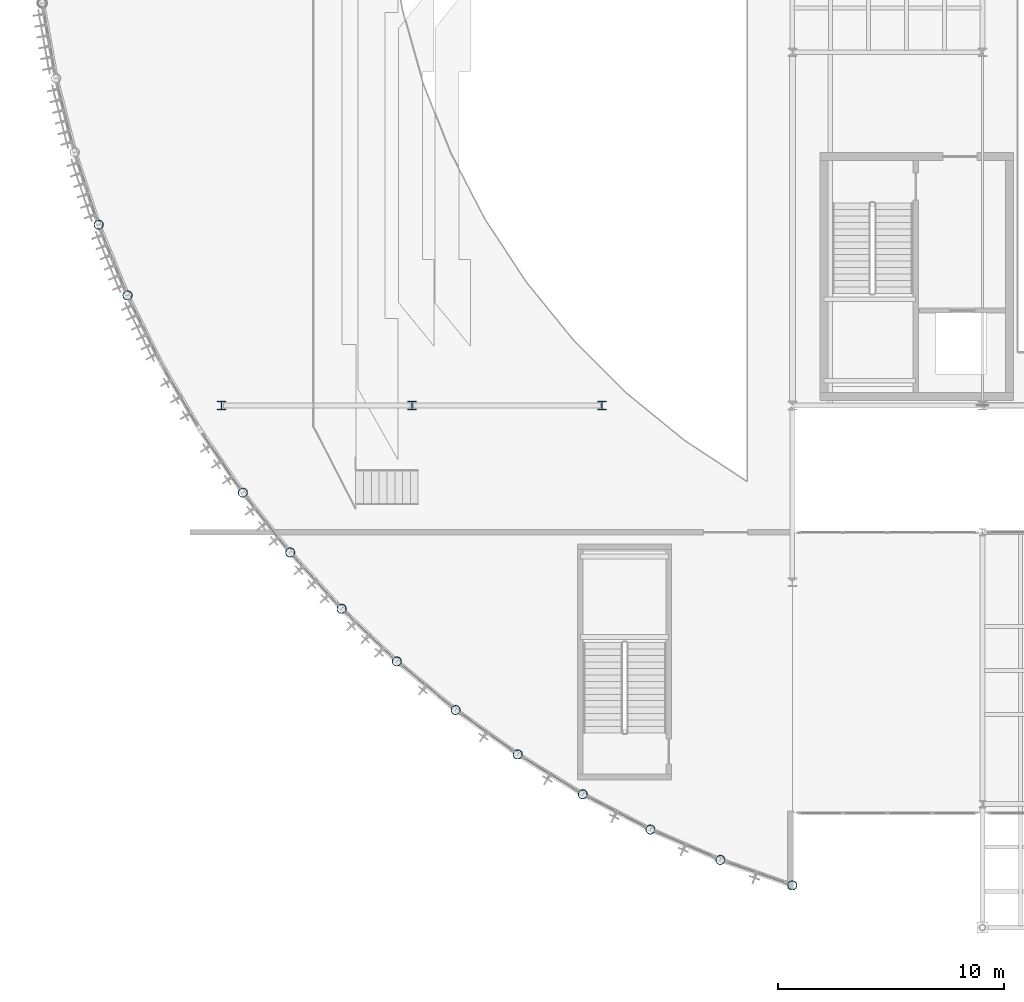
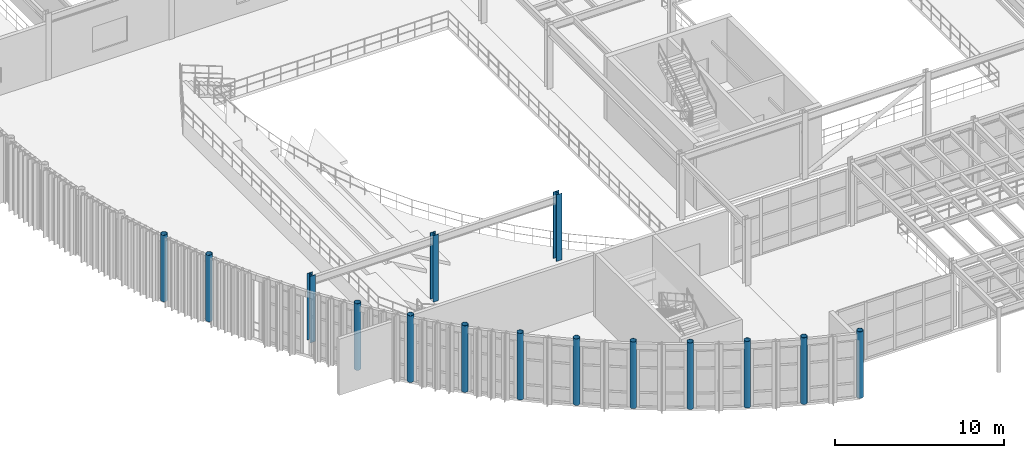
# One storey, part 1 of 105: 15 columns.
"""IFC4 building model written with IfcOpenShell, lengths in metres."""

from ifc_helpers import new_model, si_unit, direction, frame, origin, origin_2d, place, context, subcontext, project, spatial, hollow_circle, i_section, extrude, material, material_profile, profile_set, type_object, element, save


model = new_model("IFC4")

# Units and contexts
model_context = context("Model", 3, precision=1e-05, world=origin(), true_north=direction((0.0, 1.0)))
body_context = subcontext(model_context, "Body", "Model", "MODEL_VIEW")
ifc_project = project(units=[si_unit("LENGTHUNIT", "METRE"), si_unit("AREAUNIT", "SQUARE_METRE"), si_unit("VOLUMEUNIT", "CUBIC_METRE"), si_unit("PLANEANGLEUNIT", "RADIAN"), si_unit("MASSUNIT", "GRAM", prefix="KILO")], contexts=[model_context])

# Site, building, storey
site_placement = place(None, origin())
site = spatial("IfcSite", under=ifc_project, at=site_placement, CompositionType="ELEMENT")
building_placement = place(site_placement, origin())
building = spatial("IfcBuilding", under=site, at=building_placement, Name="Selat Folded Stagehouse", CompositionType="ELEMENT")
storey_placement = place(building_placement, frame((0.0, 0.0, 10.199951171875)))
storey = spatial("IfcBuildingStorey", under=building, at=storey_placement, Name="L02", CompositionType="ELEMENT", Elevation=10.199951171875)

# Columns
ifc_material = material(Name="Steel S355", Category="steel")
ifc_material_profile_1 = material_profile(ifc_material, hollow_circle(Radius=0.203125, WallThickness=0.01611328125, at=origin_2d()), Name="CHS 406.4x16.0")
ifc_profile_set_1 = profile_set([ifc_material_profile_1], Name="Steel S355")
column_type_1 = type_object("IfcColumnType", Name="COL-CHS-406x16", PredefinedType="COLUMN", material=ifc_profile_set_1)
for number, where, z_axis, x_axis, name in (
    (1, (2.967529296875, 31.38427734375, 0.0), (0.0, 0.0, 1.0), (1.0, 0.0, 0.0), "L02 column STK-DRM-07"),
    (2, (4.243896484375, 28.266357421875, 0.0), (0.0, 0.0, 1.0), (1.0, 0.0, 0.0), "L02 column STK-DRM-08"),
    (3, (9.336181640625, 19.55517578125, 0.0), (0.0, 0.0, 1.0), (1.0, 0.0, 0.0), "L02 column STK-DRM-11"),
    (4, (11.4267578125, 16.9130859375, 0.0), (0.0, 0.0, 1.0), (1.0, 0.0, 0.0), "L02 column STK-DRM-12"),
    (5, (13.697509765625, 14.42431640625, 0.0), (0.0, 0.0, 1.0), (1.0, 0.0, 0.0), "L02 column STK-DRM-13"),
    (6, (16.136962890625, 12.100830078125, 0.0), (0.0, 0.0, 1.0), (1.0, 0.0, 0.0), "L02 column STK-DRM-14"),
    (7, (18.733642578125, 9.954345703125, 0.0), (0.0, 0.0, 1.0), (1.0, 0.0, 0.0), "L02 column STK-DRM-15"),
    (8, (21.474365234375, 7.9951171875, 0.0), (0.0, 0.0, 1.0), (1.0, 0.0, 0.0), "L02 column STK-DRM-16"),
    (9, (24.345703125, 6.23291015625, 0.0), (0.0, 0.0, 1.0), (1.0, 0.0, 0.0), "L02 column STK-DRM-17"),
    (10, (27.333740234375, 4.6767578125, 0.0), (0.0, 0.0, 1.0), (1.0, 0.0, 0.0), "L02 column STK-DRM-18"),
    (11, (30.423583984375, 3.333740234375, 0.0), (0.0, 0.0, 1.0), (1.0, 0.0, 0.0), "L02 column STK-DRM-19"),
    (12, (33.60009765625, 2.2109375, 0.0), (0.0, 0.0, 1.0), (1.0, 0.0, 0.0), "L02 column STK-DRM-20"),
):
    element("IfcColumn", number, at=place(storey_placement, frame(where, z_axis=z_axis, x_axis=x_axis)), inside=storey, type_object=column_type_1, Name=name, PredefinedType="COLUMN", context=body_context, shape_type="SweptSolid", body=[
        extrude(hollow_circle(Radius=0.203125, WallThickness=0.01611328125, at=origin_2d()), origin(), (0.0, 0.0, 1.0), 4.800048828125),
    ])
ifc_material_profile_2 = material_profile(ifc_material, i_section(OverallWidth=0.37255859375, OverallDepth=0.3681640625, WebThickness=0.014404296875, FlangeThickness=0.023681640625, FilletRadius=0.01513671875, at=origin_2d()), Name="UKC 356x368x177")
ifc_profile_set_2 = profile_set([ifc_material_profile_2], Name="Steel S355")
column_type_2 = type_object("IfcColumnType", Name="COL-UKC-356x368x177", PredefinedType="COLUMN", material=ifc_profile_set_2)
for number, where, z_axis, x_axis, name in (
    (13, (8.39990234375, 23.39990234375, 0.0), (0.0, 0.0, 1.0), (1.0, 0.0, 0.0), "L02 column STK-V2-00"),
    (14, (16.800048828125, 23.39990234375, 0.0), (0.0, 0.0, 1.0), (1.0, 0.0, 0.0), "L02 column STK-V2-01"),
    (15, (25.199951171875, 23.39990234375, 0.0), (0.0, 0.0, 1.0), (1.0, 0.0, 0.0), "L02 column STK-V2-02"),
):
    element("IfcColumn", number, at=place(storey_placement, frame(where, z_axis=z_axis, x_axis=x_axis)), inside=storey, type_object=column_type_2, Name=name, PredefinedType="COLUMN", context=body_context, shape_type="SweptSolid", body=[
        extrude(i_section(OverallWidth=0.37255859375, OverallDepth=0.3681640625, WebThickness=0.014404296875, FlangeThickness=0.023681640625, FilletRadius=0.01513671875, at=origin_2d()), origin(), (0.0, 0.0, 1.0), 4.800048828125),
    ])

save(model, "model.ifc")
